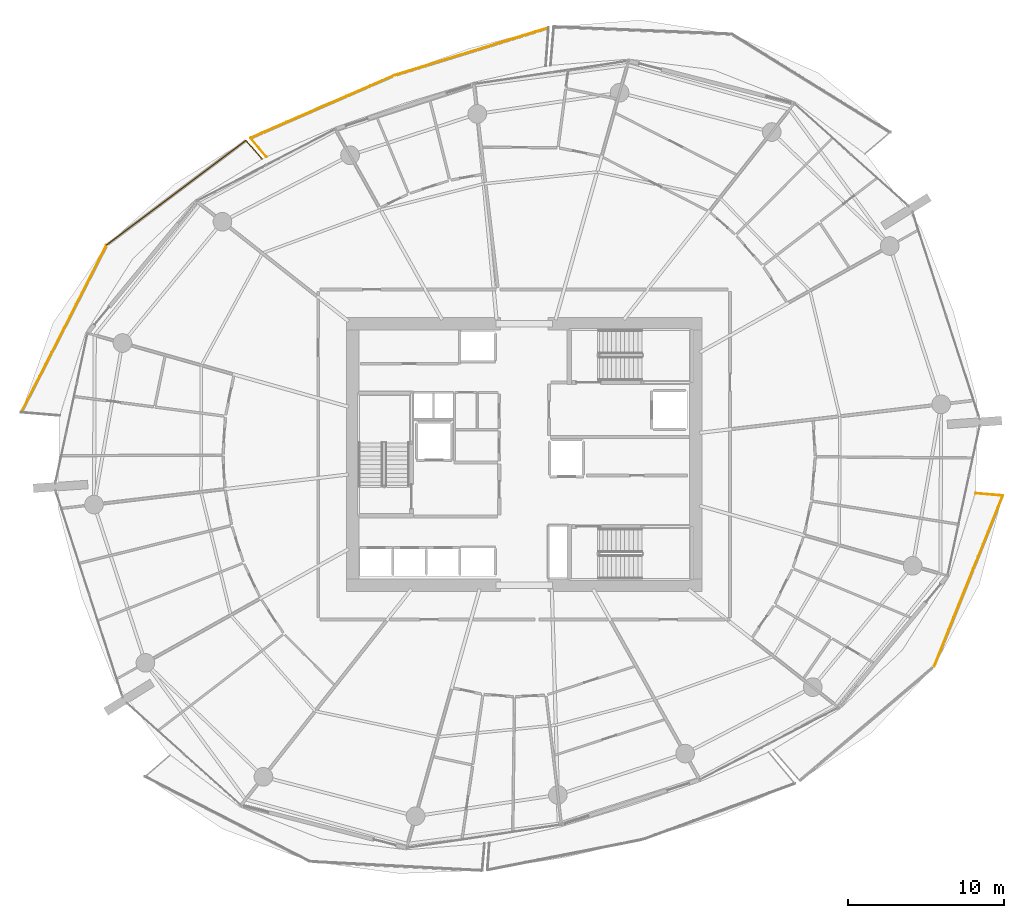
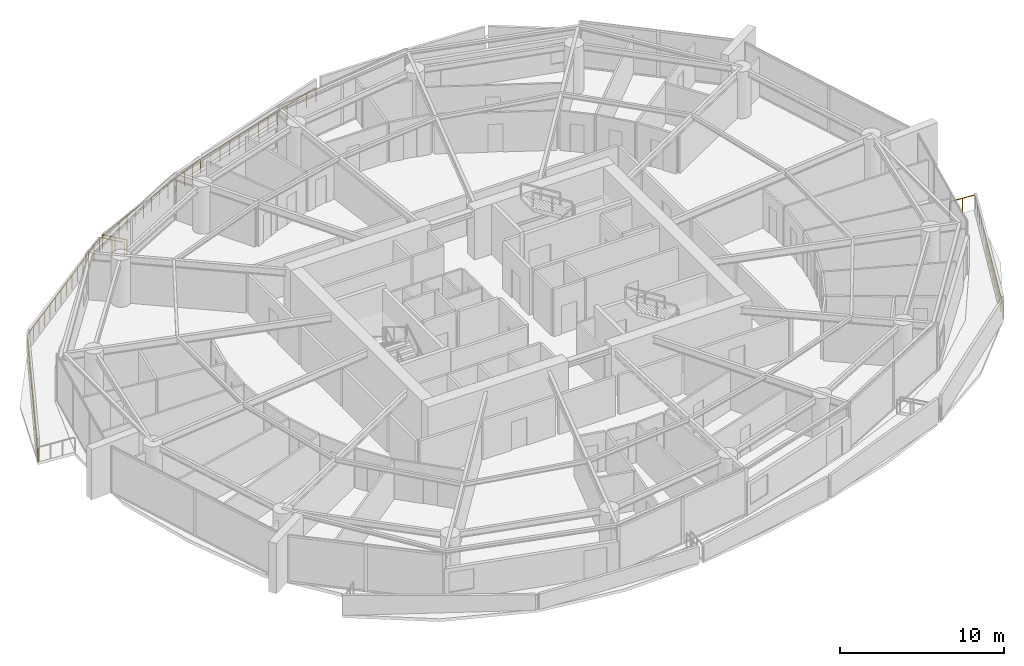
# One storey, part 21 of 23: 8 railings.
"""IFC4 building model written with IfcOpenShell, lengths in metres."""

from ifc_helpers import new_model, si_unit, direction, frame, origin, origin_2d, place, context, subcontext, project, spatial, rectangle, extrude, material, type_object, element, save


model = new_model("IFC4")

# Units and contexts
model_context = context("Model", 3, precision=1e-05, world=origin(), true_north=direction((0.0, 1.0)))
body_context = subcontext(model_context, "Body", "Model", "MODEL_VIEW")
ifc_project = project(units=[si_unit("LENGTHUNIT", "METRE"), si_unit("AREAUNIT", "SQUARE_METRE"), si_unit("VOLUMEUNIT", "CUBIC_METRE"), si_unit("PLANEANGLEUNIT", "RADIAN"), si_unit("MASSUNIT", "GRAM", prefix="KILO")], contexts=[model_context])

# Site, building, storey
site_placement = place(None, origin())
site = spatial("IfcSite", under=ifc_project, at=site_placement, CompositionType="ELEMENT")
building_placement = place(site_placement, origin())
building = spatial("IfcBuilding", under=site, at=building_placement, Name="Kazma Halo Residences", CompositionType="ELEMENT")
storey_placement = place(building_placement, frame((0.0, 0.0, 97.64990234375)))
storey = spatial("IfcBuildingStorey", under=building, at=storey_placement, Name="L24", CompositionType="ELEMENT", Elevation=97.64990234375)

# Railings
ifc_material = material(Name="Aluminium AW-6063 T6 Brushed Cap Rail", Category="aluminium")
railing_type = type_object("IfcRailingType", Name="RLG-BAL-CAP-1120", PredefinedType="BALUSTRADE", material=ifc_material)
railing_1_placement = place(storey_placement, frame((49.988525390625, 69.405517578125, 0.0)))
element("IfcRailing", 1, at=railing_1_placement, inside=storey, type_object=railing_type, Name="L24 NNW wave balcony guard 2", PredefinedType="BALUSTRADE", context=body_context, shape_type="SweptSolid", body=[
    extrude(rectangle(XDim=0.050048828125, YDim=0.050048828125, at=origin_2d()), frame((-0.040771484375, -0.012451171875, 1.09521484375), z_axis=(-0.955530555563, -0.294892111434, 0.0), x_axis=(0.294892111434, -0.955530555563, 0.0)), (0.0, 0.0, 1.0), 10.276123046875),
    extrude(rectangle(XDim=0.0400390625, YDim=0.0400390625, at=origin_2d()), origin(), (0.0, 0.0, 1.0), 1.05810546875),
    extrude(rectangle(XDim=0.0400390625, YDim=0.0400390625, at=origin_2d()), frame((-0.824951171875, -0.254638671875, 0.0)), (0.0, 0.0, 1.0), 1.05810546875),
    extrude(rectangle(XDim=0.0400390625, YDim=0.0400390625, at=origin_2d()), frame((-1.650146484375, -0.50927734375, 0.0)), (0.0, 0.0, 1.0), 1.05810546875),
    extrude(rectangle(XDim=0.0400390625, YDim=0.0400390625, at=origin_2d()), frame((-2.47509765625, -0.763916015625, 0.0)), (0.0, 0.0, 1.0), 1.05810546875),
    extrude(rectangle(XDim=0.0400390625, YDim=0.0400390625, at=origin_2d()), frame((-3.300048828125, -1.0185546875, 0.0)), (0.0, 0.0, 1.0), 1.05810546875),
    extrude(rectangle(XDim=0.0400390625, YDim=0.0400390625, at=origin_2d()), frame((-4.125244140625, -1.273193359375, 0.0)), (0.0, 0.0, 1.0), 1.05810546875),
    extrude(rectangle(XDim=0.0400390625, YDim=0.0400390625, at=origin_2d()), frame((-4.9501953125, -1.52783203125, 0.0)), (0.0, 0.0, 1.0), 1.05810546875),
    extrude(rectangle(XDim=0.0400390625, YDim=0.0400390625, at=origin_2d()), frame((-5.775146484375, -1.7822265625, 0.0)), (0.0, 0.0, 1.0), 1.05810546875),
    extrude(rectangle(XDim=0.0400390625, YDim=0.0400390625, at=origin_2d()), frame((-6.600341796875, -2.036865234375, 0.0)), (0.0, 0.0, 1.0), 1.05810546875),
    extrude(rectangle(XDim=0.0400390625, YDim=0.0400390625, at=origin_2d()), frame((-7.42529296875, -2.29150390625, 0.0)), (0.0, 0.0, 1.0), 1.05810546875),
    extrude(rectangle(XDim=0.0400390625, YDim=0.0400390625, at=origin_2d()), frame((-8.250244140625, -2.546142578125, 0.0)), (0.0, 0.0, 1.0), 1.05810546875),
    extrude(rectangle(XDim=0.0400390625, YDim=0.0400390625, at=origin_2d()), frame((-9.075439453125, -2.80078125, 0.0)), (0.0, 0.0, 1.0), 1.05810546875),
    extrude(rectangle(XDim=0.0400390625, YDim=0.0400390625, at=origin_2d()), frame((-9.900390625, -3.055419921875, 0.0)), (0.0, 0.0, 1.0), 1.05810546875),
])
railing_2_placement = place(storey_placement, frame((40.088134765625, 66.35009765625, 0.0)))
element("IfcRailing", 2, at=railing_2_placement, inside=storey, type_object=railing_type, Name="L24 NNW wave balcony guard 3", PredefinedType="BALUSTRADE", context=body_context, shape_type="SweptSolid", body=[
    extrude(rectangle(XDim=0.050048828125, YDim=0.050048828125, at=origin_2d()), frame((-0.0390625, -0.01708984375, 1.09521484375), z_axis=(-0.916909326495, -0.399095586279, 0.0), x_axis=(0.399095586279, -0.916909326495, 0.0)), (0.0, 0.0, 1.0), 9.989501953125),
    extrude(rectangle(XDim=0.0400390625, YDim=0.0400390625, at=origin_2d()), origin(), (0.0, 0.0, 1.0), 1.05810546875),
    extrude(rectangle(XDim=0.0400390625, YDim=0.0400390625, at=origin_2d()), frame((-0.769775390625, -0.3349609375, 0.0)), (0.0, 0.0, 1.0), 1.05810546875),
    extrude(rectangle(XDim=0.0400390625, YDim=0.0400390625, at=origin_2d()), frame((-1.53955078125, -0.670166015625, 0.0)), (0.0, 0.0, 1.0), 1.05810546875),
    extrude(rectangle(XDim=0.0400390625, YDim=0.0400390625, at=origin_2d()), frame((-2.309326171875, -1.005126953125, 0.0)), (0.0, 0.0, 1.0), 1.05810546875),
    extrude(rectangle(XDim=0.0400390625, YDim=0.0400390625, at=origin_2d()), frame((-3.0791015625, -1.34033203125, 0.0)), (0.0, 0.0, 1.0), 1.05810546875),
    extrude(rectangle(XDim=0.0400390625, YDim=0.0400390625, at=origin_2d()), frame((-3.848876953125, -1.67529296875, 0.0)), (0.0, 0.0, 1.0), 1.05810546875),
    extrude(rectangle(XDim=0.0400390625, YDim=0.0400390625, at=origin_2d()), frame((-4.61865234375, -2.01025390625, 0.0)), (0.0, 0.0, 1.0), 1.05810546875),
    extrude(rectangle(XDim=0.0400390625, YDim=0.0400390625, at=origin_2d()), frame((-5.388671875, -2.345458984375, 0.0)), (0.0, 0.0, 1.0), 1.05810546875),
    extrude(rectangle(XDim=0.0400390625, YDim=0.0400390625, at=origin_2d()), frame((-6.158447265625, -2.680419921875, 0.0)), (0.0, 0.0, 1.0), 1.05810546875),
    extrude(rectangle(XDim=0.0400390625, YDim=0.0400390625, at=origin_2d()), frame((-6.92822265625, -3.015625, 0.0)), (0.0, 0.0, 1.0), 1.05810546875),
    extrude(rectangle(XDim=0.0400390625, YDim=0.0400390625, at=origin_2d()), frame((-7.697998046875, -3.3505859375, 0.0)), (0.0, 0.0, 1.0), 1.05810546875),
    extrude(rectangle(XDim=0.0400390625, YDim=0.0400390625, at=origin_2d()), frame((-8.4677734375, -3.685791015625, 0.0)), (0.0, 0.0, 1.0), 1.05810546875),
    extrude(rectangle(XDim=0.0400390625, YDim=0.0400390625, at=origin_2d()), frame((-9.237548828125, -4.020751953125, 0.0)), (0.0, 0.0, 1.0), 1.05810546875),
])
railing_3_placement = place(storey_placement, frame((30.8505859375, 62.329345703125, 0.0)))
element("IfcRailing", 3, at=railing_3_placement, inside=storey, type_object=railing_type, Name="L24 NNW wave balcony guard 4", PredefinedType="BALUSTRADE", context=body_context, shape_type="SweptSolid", body=[
    extrude(rectangle(XDim=0.050048828125, YDim=0.050048828125, at=origin_2d()), frame((0.02734375, -0.032470703125, 1.09521484375), z_axis=(0.644823146011, -0.764331806461, 0.0), x_axis=(0.764331806461, 0.644823146011, 0.0)), (0.0, 0.0, 1.0), 1.500244140625),
    extrude(rectangle(XDim=0.0400390625, YDim=0.0400390625, at=origin_2d()), origin(), (0.0, 0.0, 1.0), 1.05810546875),
    extrude(rectangle(XDim=0.0400390625, YDim=0.0400390625, at=origin_2d()), frame((0.51123046875, -0.60595703125, 0.0)), (0.0, 0.0, 1.0), 1.05810546875),
    extrude(rectangle(XDim=0.0400390625, YDim=0.0400390625, at=origin_2d()), frame((1.022216796875, -1.211669921875, 0.0)), (0.0, 0.0, 1.0), 1.05810546875),
])
railing_4_placement = place(storey_placement, frame((31.59423828125, 60.972900390625, 0.0)))
element("IfcRailing", 4, at=railing_4_placement, inside=storey, type_object=railing_type, Name="L24 NW wave balcony guard 1", PredefinedType="BALUSTRADE", context=body_context, shape_type="SweptSolid", body=[
    extrude(rectangle(XDim=0.050048828125, YDim=0.050048828125, at=origin_2d()), frame((-0.02783203125, 0.0322265625, 1.09521484375), z_axis=(-0.654199420265, 0.75632209972, 0.0), x_axis=(-0.75632209972, -0.654199420265, 0.0)), (0.0, 0.0, 1.0), 1.504638671875),
    extrude(rectangle(XDim=0.0400390625, YDim=0.0400390625, at=origin_2d()), origin(), (0.0, 0.0, 1.0), 1.05810546875),
    extrude(rectangle(XDim=0.0400390625, YDim=0.0400390625, at=origin_2d()), frame((-0.52001953125, 0.60107421875, 0.0)), (0.0, 0.0, 1.0), 1.05810546875),
    extrude(rectangle(XDim=0.0400390625, YDim=0.0400390625, at=origin_2d()), frame((-1.0400390625, 1.202392578125, 0.0)), (0.0, 0.0, 1.0), 1.05810546875),
])
railing_5_placement = place(storey_placement, frame((30.55419921875, 62.17529296875, 0.0)))
element("IfcRailing", 5, at=railing_5_placement, inside=storey, type_object=railing_type, Name="L24 NW wave balcony guard 2", PredefinedType="BALUSTRADE", context=body_context, shape_type="SweptSolid", body=[
    extrude(rectangle(XDim=0.050048828125, YDim=0.050048828125, at=origin_2d()), frame((-0.033935546875, -0.025634765625, 1.09521484375), z_axis=(-0.79938198296, -0.6008231398, 0.0), x_axis=(0.6008231398, -0.79938198296, 0.0)), (0.0, 0.0, 1.0), 11.110107421875),
    extrude(rectangle(XDim=0.0400390625, YDim=0.0400390625, at=origin_2d()), origin(), (0.0, 0.0, 1.0), 1.05810546875),
    extrude(rectangle(XDim=0.0400390625, YDim=0.0400390625, at=origin_2d()), frame((-0.6884765625, -0.517333984375, 0.0)), (0.0, 0.0, 1.0), 1.05810546875),
    extrude(rectangle(XDim=0.0400390625, YDim=0.0400390625, at=origin_2d()), frame((-1.376708984375, -1.034912109375, 0.0)), (0.0, 0.0, 1.0), 1.05810546875),
    extrude(rectangle(XDim=0.0400390625, YDim=0.0400390625, at=origin_2d()), frame((-2.065185546875, -1.55224609375, 0.0)), (0.0, 0.0, 1.0), 1.05810546875),
    extrude(rectangle(XDim=0.0400390625, YDim=0.0400390625, at=origin_2d()), frame((-2.753662109375, -2.069580078125, 0.0)), (0.0, 0.0, 1.0), 1.05810546875),
    extrude(rectangle(XDim=0.0400390625, YDim=0.0400390625, at=origin_2d()), frame((-3.44189453125, -2.587158203125, 0.0)), (0.0, 0.0, 1.0), 1.05810546875),
    extrude(rectangle(XDim=0.0400390625, YDim=0.0400390625, at=origin_2d()), frame((-4.13037109375, -3.1044921875, 0.0)), (0.0, 0.0, 1.0), 1.05810546875),
    extrude(rectangle(XDim=0.0400390625, YDim=0.0400390625, at=origin_2d()), frame((-4.81884765625, -3.621826171875, 0.0)), (0.0, 0.0, 1.0), 1.05810546875),
    extrude(rectangle(XDim=0.0400390625, YDim=0.0400390625, at=origin_2d()), frame((-5.50732421875, -4.13916015625, 0.0)), (0.0, 0.0, 1.0), 1.05810546875),
    extrude(rectangle(XDim=0.0400390625, YDim=0.0400390625, at=origin_2d()), frame((-6.195556640625, -4.65673828125, 0.0)), (0.0, 0.0, 1.0), 1.05810546875),
    extrude(rectangle(XDim=0.0400390625, YDim=0.0400390625, at=origin_2d()), frame((-6.884033203125, -5.174072265625, 0.0)), (0.0, 0.0, 1.0), 1.05810546875),
    extrude(rectangle(XDim=0.0400390625, YDim=0.0400390625, at=origin_2d()), frame((-7.572509765625, -5.69140625, 0.0)), (0.0, 0.0, 1.0), 1.05810546875),
    extrude(rectangle(XDim=0.0400390625, YDim=0.0400390625, at=origin_2d()), frame((-8.2607421875, -6.208984375, 0.0)), (0.0, 0.0, 1.0), 1.05810546875),
    extrude(rectangle(XDim=0.0400390625, YDim=0.0400390625, at=origin_2d()), frame((-8.94921875, -6.726318359375, 0.0)), (0.0, 0.0, 1.0), 1.05810546875),
])
railing_6_placement = place(storey_placement, frame((21.60498046875, 55.448974609375, 0.0)))
element("IfcRailing", 6, at=railing_6_placement, inside=storey, type_object=railing_type, Name="L24 NW wave balcony guard 3", PredefinedType="BALUSTRADE", context=body_context, shape_type="SweptSolid", body=[
    extrude(rectangle(XDim=0.050048828125, YDim=0.050048828125, at=origin_2d()), frame((-0.019287109375, -0.037841796875, 1.09521484375), z_axis=(-0.454622078646, -0.890684436603, 0.0), x_axis=(0.890684436603, -0.454622078646, 0.0)), (0.0, 0.0, 1.0), 11.9775390625),
    extrude(rectangle(XDim=0.0400390625, YDim=0.0400390625, at=origin_2d()), origin(), (0.0, 0.0, 1.0), 1.05810546875),
    extrude(rectangle(XDim=0.0400390625, YDim=0.0400390625, at=origin_2d()), frame((-0.3916015625, -0.767333984375, 0.0)), (0.0, 0.0, 1.0), 1.05810546875),
    extrude(rectangle(XDim=0.0400390625, YDim=0.0400390625, at=origin_2d()), frame((-0.783447265625, -1.534912109375, 0.0)), (0.0, 0.0, 1.0), 1.05810546875),
    extrude(rectangle(XDim=0.0400390625, YDim=0.0400390625, at=origin_2d()), frame((-1.175048828125, -2.30224609375, 0.0)), (0.0, 0.0, 1.0), 1.05810546875),
    extrude(rectangle(XDim=0.0400390625, YDim=0.0400390625, at=origin_2d()), frame((-1.56689453125, -3.069580078125, 0.0)), (0.0, 0.0, 1.0), 1.05810546875),
    extrude(rectangle(XDim=0.0400390625, YDim=0.0400390625, at=origin_2d()), frame((-1.95849609375, -3.837158203125, 0.0)), (0.0, 0.0, 1.0), 1.05810546875),
    extrude(rectangle(XDim=0.0400390625, YDim=0.0400390625, at=origin_2d()), frame((-2.350341796875, -4.6044921875, 0.0)), (0.0, 0.0, 1.0), 1.05810546875),
    extrude(rectangle(XDim=0.0400390625, YDim=0.0400390625, at=origin_2d()), frame((-2.741943359375, -5.3720703125, 0.0)), (0.0, 0.0, 1.0), 1.05810546875),
    extrude(rectangle(XDim=0.0400390625, YDim=0.0400390625, at=origin_2d()), frame((-3.133544921875, -6.139404296875, 0.0)), (0.0, 0.0, 1.0), 1.05810546875),
    extrude(rectangle(XDim=0.0400390625, YDim=0.0400390625, at=origin_2d()), frame((-3.525390625, -6.90673828125, 0.0)), (0.0, 0.0, 1.0), 1.05810546875),
    extrude(rectangle(XDim=0.0400390625, YDim=0.0400390625, at=origin_2d()), frame((-3.9169921875, -7.67431640625, 0.0)), (0.0, 0.0, 1.0), 1.05810546875),
    extrude(rectangle(XDim=0.0400390625, YDim=0.0400390625, at=origin_2d()), frame((-4.308837890625, -8.441650390625, 0.0)), (0.0, 0.0, 1.0), 1.05810546875),
    extrude(rectangle(XDim=0.0400390625, YDim=0.0400390625, at=origin_2d()), frame((-4.700439453125, -9.208984375, 0.0)), (0.0, 0.0, 1.0), 1.05810546875),
    extrude(rectangle(XDim=0.0400390625, YDim=0.0400390625, at=origin_2d()), frame((-5.09228515625, -9.9765625, 0.0)), (0.0, 0.0, 1.0), 1.05810546875),
    extrude(rectangle(XDim=0.0400390625, YDim=0.0400390625, at=origin_2d()), frame((-5.48388671875, -10.743896484375, 0.0)), (0.0, 0.0, 1.0), 1.05810546875),
])
railing_7_placement = place(storey_placement, frame((74.74951171875, 28.370361328125, 0.0)))
element("IfcRailing", 7, at=railing_7_placement, inside=storey, type_object=railing_type, Name="L24 SE wave balcony guard 3", PredefinedType="BALUSTRADE", context=body_context, shape_type="SweptSolid", body=[
    extrude(rectangle(XDim=0.050048828125, YDim=0.050048828125, at=origin_2d()), frame((0.015869140625, 0.03955078125, 1.09521484375), z_axis=(0.37254246046, 0.928015148128, 0.0), x_axis=(-0.928015148128, 0.37254246046, 0.0)), (0.0, 0.0, 1.0), 11.7529296875),
    extrude(rectangle(XDim=0.0400390625, YDim=0.0400390625, at=origin_2d()), origin(), (0.0, 0.0, 1.0), 1.05810546875),
    extrude(rectangle(XDim=0.0400390625, YDim=0.0400390625, at=origin_2d()), frame((0.31494140625, 0.78466796875, 0.0)), (0.0, 0.0, 1.0), 1.05810546875),
    extrude(rectangle(XDim=0.0400390625, YDim=0.0400390625, at=origin_2d()), frame((0.630126953125, 1.5693359375, 0.0)), (0.0, 0.0, 1.0), 1.05810546875),
    extrude(rectangle(XDim=0.0400390625, YDim=0.0400390625, at=origin_2d()), frame((0.945068359375, 2.35400390625, 0.0)), (0.0, 0.0, 1.0), 1.05810546875),
    extrude(rectangle(XDim=0.0400390625, YDim=0.0400390625, at=origin_2d()), frame((1.260009765625, 3.138916015625, 0.0)), (0.0, 0.0, 1.0), 1.05810546875),
    extrude(rectangle(XDim=0.0400390625, YDim=0.0400390625, at=origin_2d()), frame((1.574951171875, 3.923583984375, 0.0)), (0.0, 0.0, 1.0), 1.05810546875),
    extrude(rectangle(XDim=0.0400390625, YDim=0.0400390625, at=origin_2d()), frame((1.89013671875, 4.708251953125, 0.0)), (0.0, 0.0, 1.0), 1.05810546875),
    extrude(rectangle(XDim=0.0400390625, YDim=0.0400390625, at=origin_2d()), frame((2.205078125, 5.492919921875, 0.0)), (0.0, 0.0, 1.0), 1.05810546875),
    extrude(rectangle(XDim=0.0400390625, YDim=0.0400390625, at=origin_2d()), frame((2.52001953125, 6.277587890625, 0.0)), (0.0, 0.0, 1.0), 1.05810546875),
    extrude(rectangle(XDim=0.0400390625, YDim=0.0400390625, at=origin_2d()), frame((2.835205078125, 7.062255859375, 0.0)), (0.0, 0.0, 1.0), 1.05810546875),
    extrude(rectangle(XDim=0.0400390625, YDim=0.0400390625, at=origin_2d()), frame((3.150146484375, 7.846923828125, 0.0)), (0.0, 0.0, 1.0), 1.05810546875),
    extrude(rectangle(XDim=0.0400390625, YDim=0.0400390625, at=origin_2d()), frame((3.465087890625, 8.6318359375, 0.0)), (0.0, 0.0, 1.0), 1.05810546875),
    extrude(rectangle(XDim=0.0400390625, YDim=0.0400390625, at=origin_2d()), frame((3.780029296875, 9.41650390625, 0.0)), (0.0, 0.0, 1.0), 1.05810546875),
    extrude(rectangle(XDim=0.0400390625, YDim=0.0400390625, at=origin_2d()), frame((4.09521484375, 10.201171875, 0.0)), (0.0, 0.0, 1.0), 1.05810546875),
    extrude(rectangle(XDim=0.0400390625, YDim=0.0400390625, at=origin_2d()), frame((4.41015625, 10.98583984375, 0.0)), (0.0, 0.0, 1.0), 1.05810546875),
])
railing_8_placement = place(storey_placement, frame((79.15966796875, 39.356201171875, 0.0)))
element("IfcRailing", 8, at=railing_8_placement, inside=storey, type_object=railing_type, Name="L24 SE wave balcony guard 4", PredefinedType="BALUSTRADE", context=body_context, shape_type="SweptSolid", body=[
    extrude(rectangle(XDim=0.050048828125, YDim=0.050048828125, at=origin_2d()), frame((-0.04248046875, 0.003662109375, 1.09521484375), z_axis=(-0.996422166926, 0.08451547349, 0.0), x_axis=(-0.08451547349, -0.996422166926, 0.0)), (0.0, 0.0, 1.0), 1.674072265625),
    extrude(rectangle(XDim=0.0400390625, YDim=0.0400390625, at=origin_2d()), origin(), (0.0, 0.0, 1.0), 1.05810546875),
    extrude(rectangle(XDim=0.0400390625, YDim=0.0400390625, at=origin_2d()), frame((-0.87646484375, 0.07421875, 0.0)), (0.0, 0.0, 1.0), 1.05810546875),
    extrude(rectangle(XDim=0.0400390625, YDim=0.0400390625, at=origin_2d()), frame((-1.7529296875, 0.148681640625, 0.0)), (0.0, 0.0, 1.0), 1.05810546875),
])

save(model, "model.ifc")
